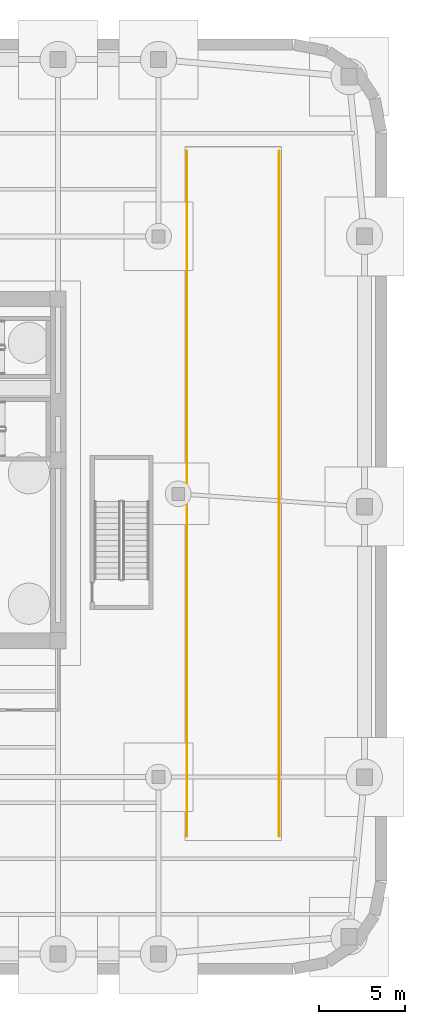
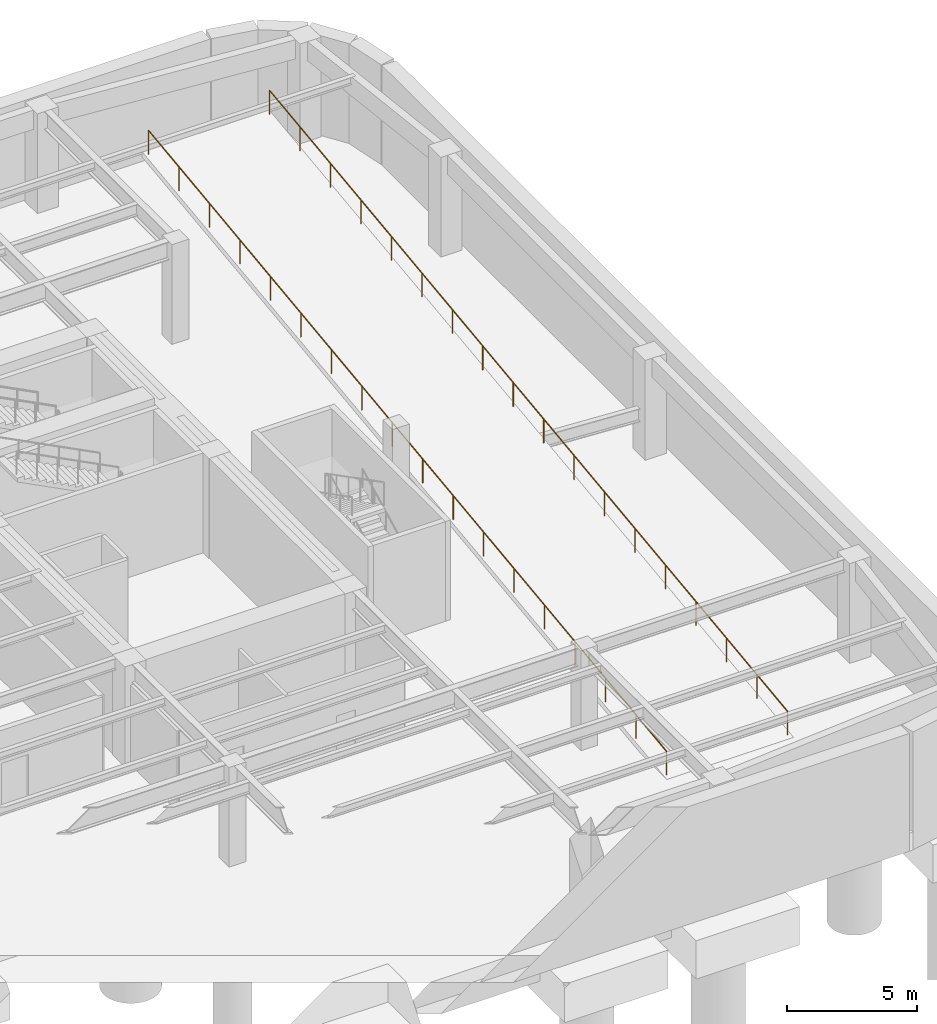
# One storey, part 13 of 14: 2 railings.
"""IFC4 building model written with IfcOpenShell, lengths in metres."""

from ifc_helpers import new_model, si_unit, direction, frame, origin, origin_2d, place, context, subcontext, project, spatial, circle, extrude, material, type_object, element, save


model = new_model("IFC4")

# Units and contexts
model_context = context("Model", 3, precision=1e-05, world=origin(), true_north=direction((0.0, 1.0)))
body_context = subcontext(model_context, "Body", "Model", "MODEL_VIEW")
ifc_project = project(units=[si_unit("LENGTHUNIT", "METRE"), si_unit("AREAUNIT", "SQUARE_METRE"), si_unit("VOLUMEUNIT", "CUBIC_METRE"), si_unit("PLANEANGLEUNIT", "RADIAN"), si_unit("MASSUNIT", "GRAM", prefix="KILO")], contexts=[model_context])

# Site, building, storey
site_placement = place(None, origin())
site = spatial("IfcSite", under=ifc_project, at=site_placement, CompositionType="ELEMENT")
building_placement = place(site_placement, origin())
building = spatial("IfcBuilding", under=site, at=building_placement, Name="Kolvaren Arena Tower", CompositionType="ELEMENT")
storey_placement = place(building_placement, frame((0.0, 0.0, -10.0)))
storey = spatial("IfcBuildingStorey", under=building, at=storey_placement, Name="B02", CompositionType="ELEMENT", Elevation=-10.0)

# Railings
ifc_material = material(Name="Painted galvanized steel", Category="steel")
railing_type = type_object("IfcRailingType", Name="GUARD-ST-110", PredefinedType="GUARDRAIL", material=ifc_material)
railing_1_placement = place(storey_placement, frame((67.860107421875, 8.050048828125, 0.0)))
element("IfcRailing", 1, at=railing_1_placement, inside=storey, type_object=railing_type, Name="Vehicle Ramp Edge Guardrail (B02)", PredefinedType="GUARDRAIL", context=body_context, shape_type="SweptSolid", body=[
    extrude(circle(Radius=0.02392578125, at=origin_2d()), frame((0.0, 0.0, 1.1259765625), z_axis=(0.0, 0.992239533256, 0.124341097969), x_axis=(-1.0, 0.0, 0.0)), (0.0, 0.0, 1.0), 40.2119140625),
    extrude(circle(Radius=0.02099609375, at=origin_2d()), origin(), (0.0, 0.0, 1.0), 1.101806640625),
    extrude(circle(Radius=0.02099609375, at=origin_2d()), frame((0.0, 2.34716796875, 0.294189453125)), (0.0, 0.0, 1.0), 1.101806640625),
    extrude(circle(Radius=0.02099609375, at=origin_2d()), frame((0.0, 4.694091796875, 0.588134765625)), (0.0, 0.0, 1.0), 1.101806640625),
    extrude(circle(Radius=0.02099609375, at=origin_2d()), frame((0.0, 7.041259765625, 0.88232421875)), (0.0, 0.0, 1.0), 1.101806640625),
    extrude(circle(Radius=0.02099609375, at=origin_2d()), frame((0.0, 9.38818359375, 1.176513671875)), (0.0, 0.0, 1.0), 1.101806640625),
    extrude(circle(Radius=0.02099609375, at=origin_2d()), frame((0.0, 11.7353515625, 1.470703125)), (0.0, 0.0, 1.0), 1.101806640625),
    extrude(circle(Radius=0.02099609375, at=origin_2d()), frame((0.0, 14.082275390625, 1.7646484375)), (0.0, 0.0, 1.0), 1.101806640625),
    extrude(circle(Radius=0.02099609375, at=origin_2d()), frame((0.0, 16.429443359375, 2.058837890625)), (0.0, 0.0, 1.0), 1.101806640625),
    extrude(circle(Radius=0.02099609375, at=origin_2d()), frame((0.0, 18.7763671875, 2.35302734375)), (0.0, 0.0, 1.0), 1.101806640625),
    extrude(circle(Radius=0.02099609375, at=origin_2d()), frame((0.0, 21.12353515625, 2.64697265625)), (0.0, 0.0, 1.0), 1.101806640625),
    extrude(circle(Radius=0.02099609375, at=origin_2d()), frame((0.0, 23.470458984375, 2.941162109375)), (0.0, 0.0, 1.0), 1.101806640625),
    extrude(circle(Radius=0.02099609375, at=origin_2d()), frame((0.0, 25.817626953125, 3.2353515625)), (0.0, 0.0, 1.0), 1.101806640625),
    extrude(circle(Radius=0.02099609375, at=origin_2d()), frame((0.0, 28.16455078125, 3.529296875)), (0.0, 0.0, 1.0), 1.101806640625),
    extrude(circle(Radius=0.02099609375, at=origin_2d()), frame((0.0, 30.51171875, 3.823486328125)), (0.0, 0.0, 1.0), 1.101806640625),
    extrude(circle(Radius=0.02099609375, at=origin_2d()), frame((0.0, 32.858642578125, 4.11767578125)), (0.0, 0.0, 1.0), 1.101806640625),
    extrude(circle(Radius=0.02099609375, at=origin_2d()), frame((0.0, 35.205810546875, 4.411865234375)), (0.0, 0.0, 1.0), 1.101806640625),
    extrude(circle(Radius=0.02099609375, at=origin_2d()), frame((0.0, 37.552734375, 4.705810546875)), (0.0, 0.0, 1.0), 1.101806640625),
    extrude(circle(Radius=0.02099609375, at=origin_2d()), frame((0.0, 39.89990234375, 5.0)), (0.0, 0.0, 1.0), 1.101806640625),
])
railing_2_placement = place(storey_placement, frame((73.239990234375, 8.050048828125, 0.0)))
element("IfcRailing", 2, at=railing_2_placement, inside=storey, type_object=railing_type, Name="Vehicle Ramp Edge Guardrail (B02)", PredefinedType="GUARDRAIL", context=body_context, shape_type="SweptSolid", body=[
    extrude(circle(Radius=0.02392578125, at=origin_2d()), frame((0.0, 0.0, 1.1259765625), z_axis=(0.0, 0.992239533256, 0.124341097969), x_axis=(-1.0, 0.0, 0.0)), (0.0, 0.0, 1.0), 40.2119140625),
    extrude(circle(Radius=0.02099609375, at=origin_2d()), origin(), (0.0, 0.0, 1.0), 1.101806640625),
    extrude(circle(Radius=0.02099609375, at=origin_2d()), frame((0.0, 2.34716796875, 0.294189453125)), (0.0, 0.0, 1.0), 1.101806640625),
    extrude(circle(Radius=0.02099609375, at=origin_2d()), frame((0.0, 4.694091796875, 0.588134765625)), (0.0, 0.0, 1.0), 1.101806640625),
    extrude(circle(Radius=0.02099609375, at=origin_2d()), frame((0.0, 7.041259765625, 0.88232421875)), (0.0, 0.0, 1.0), 1.101806640625),
    extrude(circle(Radius=0.02099609375, at=origin_2d()), frame((0.0, 9.38818359375, 1.176513671875)), (0.0, 0.0, 1.0), 1.101806640625),
    extrude(circle(Radius=0.02099609375, at=origin_2d()), frame((0.0, 11.7353515625, 1.470703125)), (0.0, 0.0, 1.0), 1.101806640625),
    extrude(circle(Radius=0.02099609375, at=origin_2d()), frame((0.0, 14.082275390625, 1.7646484375)), (0.0, 0.0, 1.0), 1.101806640625),
    extrude(circle(Radius=0.02099609375, at=origin_2d()), frame((0.0, 16.429443359375, 2.058837890625)), (0.0, 0.0, 1.0), 1.101806640625),
    extrude(circle(Radius=0.02099609375, at=origin_2d()), frame((0.0, 18.7763671875, 2.35302734375)), (0.0, 0.0, 1.0), 1.101806640625),
    extrude(circle(Radius=0.02099609375, at=origin_2d()), frame((0.0, 21.12353515625, 2.64697265625)), (0.0, 0.0, 1.0), 1.101806640625),
    extrude(circle(Radius=0.02099609375, at=origin_2d()), frame((0.0, 23.470458984375, 2.941162109375)), (0.0, 0.0, 1.0), 1.101806640625),
    extrude(circle(Radius=0.02099609375, at=origin_2d()), frame((0.0, 25.817626953125, 3.2353515625)), (0.0, 0.0, 1.0), 1.101806640625),
    extrude(circle(Radius=0.02099609375, at=origin_2d()), frame((0.0, 28.16455078125, 3.529296875)), (0.0, 0.0, 1.0), 1.101806640625),
    extrude(circle(Radius=0.02099609375, at=origin_2d()), frame((0.0, 30.51171875, 3.823486328125)), (0.0, 0.0, 1.0), 1.101806640625),
    extrude(circle(Radius=0.02099609375, at=origin_2d()), frame((0.0, 32.858642578125, 4.11767578125)), (0.0, 0.0, 1.0), 1.101806640625),
    extrude(circle(Radius=0.02099609375, at=origin_2d()), frame((0.0, 35.205810546875, 4.411865234375)), (0.0, 0.0, 1.0), 1.101806640625),
    extrude(circle(Radius=0.02099609375, at=origin_2d()), frame((0.0, 37.552734375, 4.705810546875)), (0.0, 0.0, 1.0), 1.101806640625),
    extrude(circle(Radius=0.02099609375, at=origin_2d()), frame((0.0, 39.89990234375, 5.0)), (0.0, 0.0, 1.0), 1.101806640625),
])

save(model, "model.ifc")
